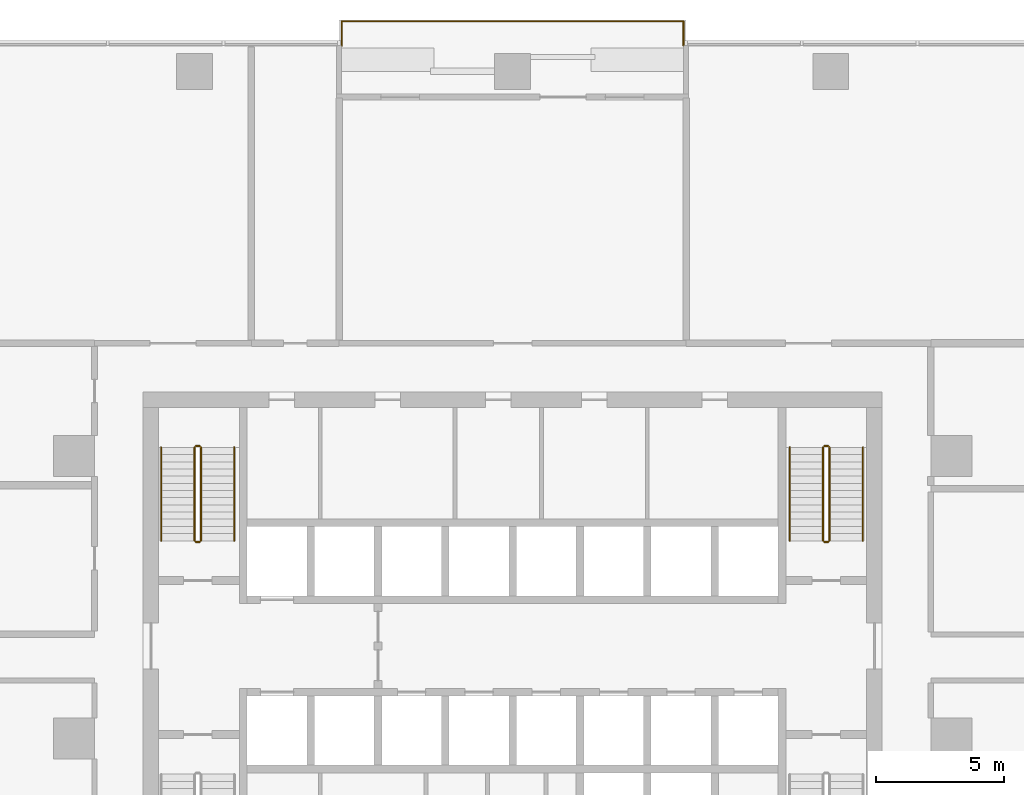
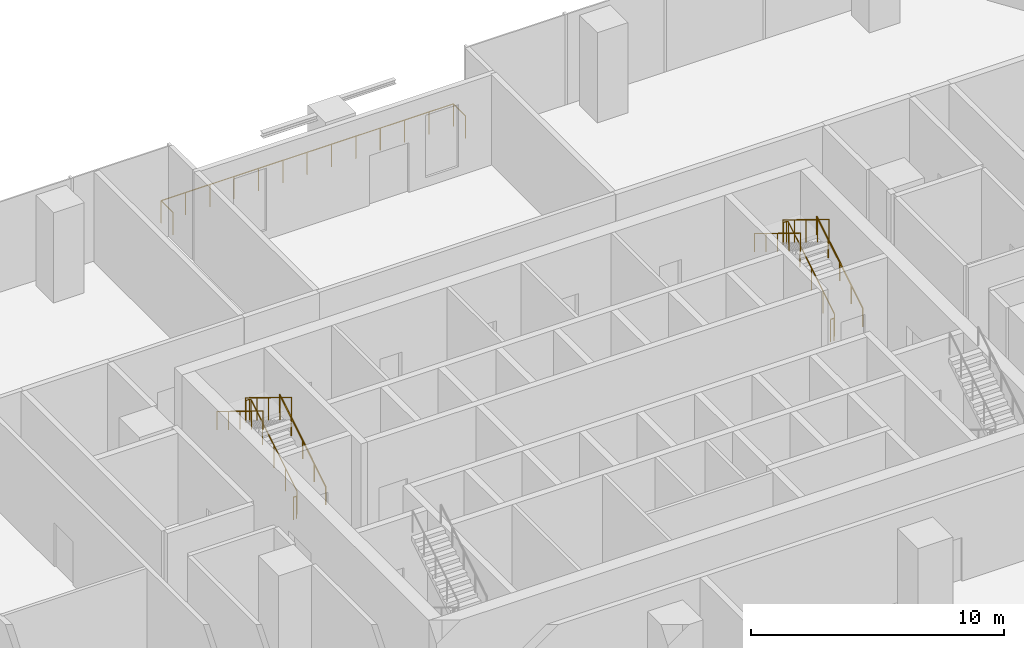
# One storey, part 14 of 14: 11 railings.
"""IFC4 building model written with IfcOpenShell, lengths in metres."""

from ifc_helpers import new_model, si_unit, direction, frame, origin, origin_2d, place, context, subcontext, project, spatial, circle, extrude, material, type_object, element, save


model = new_model("IFC4")

# Units and contexts
model_context = context("Model", 3, precision=1e-05, world=origin(), true_north=direction((0.0, 1.0)))
body_context = subcontext(model_context, "Body", "Model", "MODEL_VIEW")
ifc_project = project(units=[si_unit("LENGTHUNIT", "METRE"), si_unit("AREAUNIT", "SQUARE_METRE"), si_unit("VOLUMEUNIT", "CUBIC_METRE"), si_unit("PLANEANGLEUNIT", "RADIAN"), si_unit("MASSUNIT", "GRAM", prefix="KILO")], contexts=[model_context])

# Site, building, storey
site_placement = place(None, origin())
site = spatial("IfcSite", under=ifc_project, at=site_placement, CompositionType="ELEMENT")
building_placement = place(site_placement, origin())
building = spatial("IfcBuilding", under=site, at=building_placement, Name="Mopane Tessera Tower", CompositionType="ELEMENT")
storey_placement = place(building_placement, frame((0.0, 0.0, 50.199951171875)))
storey = spatial("IfcBuildingStorey", under=building, at=storey_placement, Name="L09", CompositionType="ELEMENT", Elevation=50.199951171875)

# Railings
ifc_material_1 = material(Name="Powder-coated steel balustrade", Category="steel")
railing_type_1 = type_object("IfcRailingType", Name="Escape stair guard 1100 mm", PredefinedType="GUARDRAIL", material=ifc_material_1)
railing_1_placement = place(storey_placement, frame((-12.14990234375, 7.699951171875, 0.17138671875)))
element("IfcRailing", 1, at=railing_1_placement, inside=storey, type_object=railing_type_1, Name="L09 ST2 stair guard 1", PredefinedType="GUARDRAIL", context=body_context, shape_type="SweptSolid", body=[
    extrude(circle(Radius=0.02392578125, at=origin_2d()), frame((0.0, 0.0, 1.076171875), z_axis=(0.0, 0.852840387347, 0.522171689878), x_axis=(-1.0, 0.0, 0.0)), (0.0, 0.0, 1.0), 4.268310546875),
    extrude(circle(Radius=0.02392578125, at=origin_2d()), frame((0.0, 3.64013671875, 3.3046875), z_axis=(-0.708833529934, 0.705375805398, 0.0), x_axis=(-0.705375805398, -0.708833529934, 0.0)), (0.0, 0.0, 1.0), 0.070556640625),
    extrude(circle(Radius=0.02392578125, at=origin_2d()), frame((-0.050048828125, 3.68994140625, 3.3046875), z_axis=(-1.0, 0.0, 0.0), x_axis=(0.0, -1.0, 0.0)), (0.0, 0.0, 1.0), 0.150146484375),
    extrude(circle(Radius=0.02099609375, at=origin_2d()), origin(), (0.0, 0.0, 1.0), 1.052001953125),
    extrude(circle(Radius=0.02099609375, at=origin_2d()), frame((0.0, 0.91015625, 0.55712890625)), (0.0, 0.0, 1.0), 1.052001953125),
    extrude(circle(Radius=0.02099609375, at=origin_2d()), frame((0.0, 1.820068359375, 1.1142578125)), (0.0, 0.0, 1.0), 1.052001953125),
    extrude(circle(Radius=0.02099609375, at=origin_2d()), frame((0.0, 2.72998046875, 1.671630859375)), (0.0, 0.0, 1.0), 1.052001953125),
    extrude(circle(Radius=0.02099609375, at=origin_2d()), frame((0.0, 3.64013671875, 2.228759765625)), (0.0, 0.0, 1.0), 1.052001953125),
    extrude(circle(Radius=0.02099609375, at=origin_2d()), frame((-0.050048828125, 3.68994140625, 2.228759765625)), (0.0, 0.0, 1.0), 1.052001953125),
    extrude(circle(Radius=0.02099609375, at=origin_2d()), frame((-0.2001953125, 3.68994140625, 2.228759765625)), (0.0, 0.0, 1.0), 1.052001953125),
])
railing_2_placement = place(storey_placement, frame((-12.39990234375, 11.340087890625, 2.571533203125)))
element("IfcRailing", 2, at=railing_2_placement, inside=storey, type_object=railing_type_1, Name="L09 ST2 stair guard 2", PredefinedType="GUARDRAIL", context=body_context, shape_type="SweptSolid", body=[
    extrude(circle(Radius=0.02392578125, at=origin_2d()), frame((0.0, 0.0, 1.076171875), z_axis=(0.0, -0.852865859571, 0.52213008492), x_axis=(1.0, 0.0, 0.0)), (0.0, 0.0, 1.0), 4.26806640625),
    extrude(circle(Radius=0.02099609375, at=origin_2d()), origin(), (0.0, 0.0, 1.0), 1.052001953125),
    extrude(circle(Radius=0.02099609375, at=origin_2d()), frame((0.0, -0.91015625, 0.55712890625)), (0.0, 0.0, 1.0), 1.052001953125),
    extrude(circle(Radius=0.02099609375, at=origin_2d()), frame((0.0, -1.820068359375, 1.1142578125)), (0.0, 0.0, 1.0), 1.052001953125),
    extrude(circle(Radius=0.02099609375, at=origin_2d()), frame((0.0, -2.72998046875, 1.67138671875)), (0.0, 0.0, 1.0), 1.052001953125),
    extrude(circle(Radius=0.02099609375, at=origin_2d()), frame((0.0, -3.64013671875, 2.228515625)), (0.0, 0.0, 1.0), 1.052001953125),
])
railing_3_placement = place(storey_placement, frame((-12.199951171875, 7.64990234375, 0.0)))
element("IfcRailing", 3, at=railing_3_placement, inside=storey, type_object=railing_type_1, Name="L09 ST2 stair guard 3", PredefinedType="GUARDRAIL", context=body_context, shape_type="SweptSolid", body=[
    extrude(circle(Radius=0.02392578125, at=origin_2d()), frame((0.0, 0.0, 1.076171875), z_axis=(-1.0, 0.0, 0.0), x_axis=(0.0, -1.0, 0.0)), (0.0, 0.0, 1.0), 0.150146484375),
    extrude(circle(Radius=0.02099609375, at=origin_2d()), origin(), (0.0, 0.0, 1.0), 1.052001953125),
    extrude(circle(Radius=0.02099609375, at=origin_2d()), frame((-0.150146484375, 0.0, 0.0)), (0.0, 0.0, 1.0), 1.052001953125),
])
railing_4_placement = place(storey_placement, frame((12.35009765625, 7.699951171875, 0.17138671875)))
element("IfcRailing", 4, at=railing_4_placement, inside=storey, type_object=railing_type_1, Name="L09 ST4 stair guard 1", PredefinedType="GUARDRAIL", context=body_context, shape_type="SweptSolid", body=[
    extrude(circle(Radius=0.02392578125, at=origin_2d()), frame((0.0, 0.0, 1.076171875), z_axis=(0.0, 0.852840387347, 0.522171689878), x_axis=(-1.0, 0.0, 0.0)), (0.0, 0.0, 1.0), 4.268310546875),
    extrude(circle(Radius=0.02392578125, at=origin_2d()), frame((0.0, 3.64013671875, 3.3046875), z_axis=(-0.708833529934, 0.705375805398, 0.0), x_axis=(-0.705375805398, -0.708833529934, 0.0)), (0.0, 0.0, 1.0), 0.070556640625),
    extrude(circle(Radius=0.02392578125, at=origin_2d()), frame((-0.050048828125, 3.68994140625, 3.3046875), z_axis=(-1.0, 0.0, 0.0), x_axis=(0.0, -1.0, 0.0)), (0.0, 0.0, 1.0), 0.150146484375),
    extrude(circle(Radius=0.02099609375, at=origin_2d()), origin(), (0.0, 0.0, 1.0), 1.052001953125),
    extrude(circle(Radius=0.02099609375, at=origin_2d()), frame((0.0, 0.91015625, 0.55712890625)), (0.0, 0.0, 1.0), 1.052001953125),
    extrude(circle(Radius=0.02099609375, at=origin_2d()), frame((0.0, 1.820068359375, 1.1142578125)), (0.0, 0.0, 1.0), 1.052001953125),
    extrude(circle(Radius=0.02099609375, at=origin_2d()), frame((0.0, 2.72998046875, 1.671630859375)), (0.0, 0.0, 1.0), 1.052001953125),
    extrude(circle(Radius=0.02099609375, at=origin_2d()), frame((0.0, 3.64013671875, 2.228759765625)), (0.0, 0.0, 1.0), 1.052001953125),
    extrude(circle(Radius=0.02099609375, at=origin_2d()), frame((-0.050048828125, 3.68994140625, 2.228759765625)), (0.0, 0.0, 1.0), 1.052001953125),
    extrude(circle(Radius=0.02099609375, at=origin_2d()), frame((-0.2001953125, 3.68994140625, 2.228759765625)), (0.0, 0.0, 1.0), 1.052001953125),
])
railing_5_placement = place(storey_placement, frame((12.10009765625, 11.340087890625, 2.571533203125)))
element("IfcRailing", 5, at=railing_5_placement, inside=storey, type_object=railing_type_1, Name="L09 ST4 stair guard 2", PredefinedType="GUARDRAIL", context=body_context, shape_type="SweptSolid", body=[
    extrude(circle(Radius=0.02392578125, at=origin_2d()), frame((0.0, 0.0, 1.076171875), z_axis=(0.0, -0.852865859571, 0.52213008492), x_axis=(1.0, 0.0, 0.0)), (0.0, 0.0, 1.0), 4.26806640625),
    extrude(circle(Radius=0.02099609375, at=origin_2d()), origin(), (0.0, 0.0, 1.0), 1.052001953125),
    extrude(circle(Radius=0.02099609375, at=origin_2d()), frame((0.0, -0.91015625, 0.55712890625)), (0.0, 0.0, 1.0), 1.052001953125),
    extrude(circle(Radius=0.02099609375, at=origin_2d()), frame((0.0, -1.820068359375, 1.1142578125)), (0.0, 0.0, 1.0), 1.052001953125),
    extrude(circle(Radius=0.02099609375, at=origin_2d()), frame((0.0, -2.72998046875, 1.67138671875)), (0.0, 0.0, 1.0), 1.052001953125),
    extrude(circle(Radius=0.02099609375, at=origin_2d()), frame((0.0, -3.64013671875, 2.228515625)), (0.0, 0.0, 1.0), 1.052001953125),
])
railing_6_placement = place(storey_placement, frame((12.300048828125, 7.64990234375, 0.0)))
element("IfcRailing", 6, at=railing_6_placement, inside=storey, type_object=railing_type_1, Name="L09 ST4 stair guard 3", PredefinedType="GUARDRAIL", context=body_context, shape_type="SweptSolid", body=[
    extrude(circle(Radius=0.02392578125, at=origin_2d()), frame((0.0, 0.0, 1.076171875), z_axis=(-1.0, 0.0, 0.0), x_axis=(0.0, -1.0, 0.0)), (0.0, 0.0, 1.0), 0.150146484375),
    extrude(circle(Radius=0.02099609375, at=origin_2d()), origin(), (0.0, 0.0, 1.0), 1.052001953125),
    extrude(circle(Radius=0.02099609375, at=origin_2d()), frame((-0.150146484375, 0.0, 0.0)), (0.0, 0.0, 1.0), 1.052001953125),
])
ifc_material_2 = material(Name="Powder-coated steel balustrade", Category="steel")
railing_type_2 = type_object("IfcRailingType", Name="Escape stair handrail 900 mm", PredefinedType="HANDRAIL", material=ifc_material_2)
railing_7_placement = place(storey_placement, frame((-10.85009765625, 7.699951171875, 0.17138671875)))
element("IfcRailing", 7, at=railing_7_placement, inside=storey, type_object=railing_type_2, Name="L09 ST2 stair handrail 1", PredefinedType="HANDRAIL", context=body_context, shape_type="SweptSolid", body=[
    extrude(circle(Radius=0.02392578125, at=origin_2d()), frame((0.0, 0.0, 0.8759765625), z_axis=(0.0, 0.852840387347, 0.522171689878), x_axis=(-1.0, 0.0, 0.0)), (0.0, 0.0, 1.0), 4.268310546875),
    extrude(circle(Radius=0.02099609375, at=origin_2d()), origin(), (0.0, 0.0, 1.0), 0.851806640625),
    extrude(circle(Radius=0.02099609375, at=origin_2d()), frame((0.0, 0.91015625, 0.55712890625)), (0.0, 0.0, 1.0), 0.851806640625),
    extrude(circle(Radius=0.02099609375, at=origin_2d()), frame((0.0, 1.820068359375, 1.1142578125)), (0.0, 0.0, 1.0), 0.851806640625),
    extrude(circle(Radius=0.02099609375, at=origin_2d()), frame((0.0, 2.72998046875, 1.671630859375)), (0.0, 0.0, 1.0), 0.851806640625),
    extrude(circle(Radius=0.02099609375, at=origin_2d()), frame((0.0, 3.64013671875, 2.228759765625)), (0.0, 0.0, 1.0), 0.851806640625),
])
railing_8_placement = place(storey_placement, frame((-13.699951171875, 11.340087890625, 2.571533203125)))
element("IfcRailing", 8, at=railing_8_placement, inside=storey, type_object=railing_type_2, Name="L09 ST2 stair handrail 2", PredefinedType="HANDRAIL", context=body_context, shape_type="SweptSolid", body=[
    extrude(circle(Radius=0.02392578125, at=origin_2d()), frame((0.0, 0.0, 0.8759765625), z_axis=(0.0, -0.852865859571, 0.52213008492), x_axis=(1.0, 0.0, 0.0)), (0.0, 0.0, 1.0), 4.26806640625),
    extrude(circle(Radius=0.02099609375, at=origin_2d()), origin(), (0.0, 0.0, 1.0), 0.851806640625),
    extrude(circle(Radius=0.02099609375, at=origin_2d()), frame((0.0, -0.91015625, 0.55712890625)), (0.0, 0.0, 1.0), 0.851806640625),
    extrude(circle(Radius=0.02099609375, at=origin_2d()), frame((0.0, -1.820068359375, 1.1142578125)), (0.0, 0.0, 1.0), 0.851806640625),
    extrude(circle(Radius=0.02099609375, at=origin_2d()), frame((0.0, -2.72998046875, 1.67138671875)), (0.0, 0.0, 1.0), 0.851806640625),
    extrude(circle(Radius=0.02099609375, at=origin_2d()), frame((0.0, -3.64013671875, 2.228515625)), (0.0, 0.0, 1.0), 0.851806640625),
])
railing_9_placement = place(storey_placement, frame((13.64990234375, 7.699951171875, 0.17138671875)))
element("IfcRailing", 9, at=railing_9_placement, inside=storey, type_object=railing_type_2, Name="L09 ST4 stair handrail 1", PredefinedType="HANDRAIL", context=body_context, shape_type="SweptSolid", body=[
    extrude(circle(Radius=0.02392578125, at=origin_2d()), frame((0.0, 0.0, 0.8759765625), z_axis=(0.0, 0.852840387347, 0.522171689878), x_axis=(-1.0, 0.0, 0.0)), (0.0, 0.0, 1.0), 4.268310546875),
    extrude(circle(Radius=0.02099609375, at=origin_2d()), origin(), (0.0, 0.0, 1.0), 0.851806640625),
    extrude(circle(Radius=0.02099609375, at=origin_2d()), frame((0.0, 0.91015625, 0.55712890625)), (0.0, 0.0, 1.0), 0.851806640625),
    extrude(circle(Radius=0.02099609375, at=origin_2d()), frame((0.0, 1.820068359375, 1.1142578125)), (0.0, 0.0, 1.0), 0.851806640625),
    extrude(circle(Radius=0.02099609375, at=origin_2d()), frame((0.0, 2.72998046875, 1.671630859375)), (0.0, 0.0, 1.0), 0.851806640625),
    extrude(circle(Radius=0.02099609375, at=origin_2d()), frame((0.0, 3.64013671875, 2.228759765625)), (0.0, 0.0, 1.0), 0.851806640625),
])
railing_10_placement = place(storey_placement, frame((10.800048828125, 11.340087890625, 2.571533203125)))
element("IfcRailing", 10, at=railing_10_placement, inside=storey, type_object=railing_type_2, Name="L09 ST4 stair handrail 2", PredefinedType="HANDRAIL", context=body_context, shape_type="SweptSolid", body=[
    extrude(circle(Radius=0.02392578125, at=origin_2d()), frame((0.0, 0.0, 0.8759765625), z_axis=(0.0, -0.852865859571, 0.52213008492), x_axis=(1.0, 0.0, 0.0)), (0.0, 0.0, 1.0), 4.26806640625),
    extrude(circle(Radius=0.02099609375, at=origin_2d()), origin(), (0.0, 0.0, 1.0), 0.851806640625),
    extrude(circle(Radius=0.02099609375, at=origin_2d()), frame((0.0, -0.91015625, 0.55712890625)), (0.0, 0.0, 1.0), 0.851806640625),
    extrude(circle(Radius=0.02099609375, at=origin_2d()), frame((0.0, -1.820068359375, 1.1142578125)), (0.0, 0.0, 1.0), 0.851806640625),
    extrude(circle(Radius=0.02099609375, at=origin_2d()), frame((0.0, -2.72998046875, 1.67138671875)), (0.0, 0.0, 1.0), 0.851806640625),
    extrude(circle(Radius=0.02099609375, at=origin_2d()), frame((0.0, -3.64013671875, 2.228515625)), (0.0, 0.0, 1.0), 0.851806640625),
])
ifc_material_3 = material(Name="Stainless steel S316", Category="steel")
railing_type_3 = type_object("IfcRailingType", Name="Terrace guard 1100", PredefinedType="GUARDRAIL", material=ifc_material_3)
railing_11_placement = place(storey_placement, frame((6.66357421875, 27.0, 0.0)))
element("IfcRailing", 11, at=railing_11_placement, inside=storey, type_object=railing_type_3, Name="e:nw:L09:N2:guard", PredefinedType="GUARDRAIL", context=body_context, shape_type="SweptSolid", body=[
    extrude(circle(Radius=0.02392578125, at=origin_2d()), frame((0.0, 0.0, 1.076171875), z_axis=(0.0, 1.0, 0.0), x_axis=(-1.0, 0.0, 0.0)), (0.0, 0.0, 1.0), 0.949951171875),
    extrude(circle(Radius=0.02392578125, at=origin_2d()), frame((0.0, 0.949951171875, 1.076171875), z_axis=(-1.0, 0.0, 0.0), x_axis=(0.0, -1.0, 0.0)), (0.0, 0.0, 1.0), 13.3271484375),
    extrude(circle(Radius=0.02392578125, at=origin_2d()), frame((-13.3271484375, 0.949951171875, 1.076171875), z_axis=(0.0, -1.0, 0.0), x_axis=(1.0, 0.0, 0.0)), (0.0, 0.0, 1.0), 0.949951171875),
    extrude(circle(Radius=0.02099609375, at=origin_2d()), origin(), (0.0, 0.0, 1.0), 1.052001953125),
    extrude(circle(Radius=0.02099609375, at=origin_2d()), frame((0.0, 0.949951171875, 0.0)), (0.0, 0.0, 1.0), 1.052001953125),
    extrude(circle(Radius=0.02099609375, at=origin_2d()), frame((-1.110595703125, 0.949951171875, 0.0)), (0.0, 0.0, 1.0), 1.052001953125),
    extrude(circle(Radius=0.02099609375, at=origin_2d()), frame((-2.22119140625, 0.949951171875, 0.0)), (0.0, 0.0, 1.0), 1.052001953125),
    extrude(circle(Radius=0.02099609375, at=origin_2d()), frame((-3.331787109375, 0.949951171875, 0.0)), (0.0, 0.0, 1.0), 1.052001953125),
    extrude(circle(Radius=0.02099609375, at=origin_2d()), frame((-4.4423828125, 0.949951171875, 0.0)), (0.0, 0.0, 1.0), 1.052001953125),
    extrude(circle(Radius=0.02099609375, at=origin_2d()), frame((-5.552978515625, 0.949951171875, 0.0)), (0.0, 0.0, 1.0), 1.052001953125),
    extrude(circle(Radius=0.02099609375, at=origin_2d()), frame((-6.66357421875, 0.949951171875, 0.0)), (0.0, 0.0, 1.0), 1.052001953125),
    extrude(circle(Radius=0.02099609375, at=origin_2d()), frame((-7.774169921875, 0.949951171875, 0.0)), (0.0, 0.0, 1.0), 1.052001953125),
    extrude(circle(Radius=0.02099609375, at=origin_2d()), frame((-8.884765625, 0.949951171875, 0.0)), (0.0, 0.0, 1.0), 1.052001953125),
    extrude(circle(Radius=0.02099609375, at=origin_2d()), frame((-9.995361328125, 0.949951171875, 0.0)), (0.0, 0.0, 1.0), 1.052001953125),
    extrude(circle(Radius=0.02099609375, at=origin_2d()), frame((-11.10595703125, 0.949951171875, 0.0)), (0.0, 0.0, 1.0), 1.052001953125),
    extrude(circle(Radius=0.02099609375, at=origin_2d()), frame((-12.216552734375, 0.949951171875, 0.0)), (0.0, 0.0, 1.0), 1.052001953125),
    extrude(circle(Radius=0.02099609375, at=origin_2d()), frame((-13.3271484375, 0.949951171875, 0.0)), (0.0, 0.0, 1.0), 1.052001953125),
    extrude(circle(Radius=0.02099609375, at=origin_2d()), frame((-13.3271484375, 0.0, 0.0)), (0.0, 0.0, 1.0), 1.052001953125),
])

save(model, "model.ifc")
